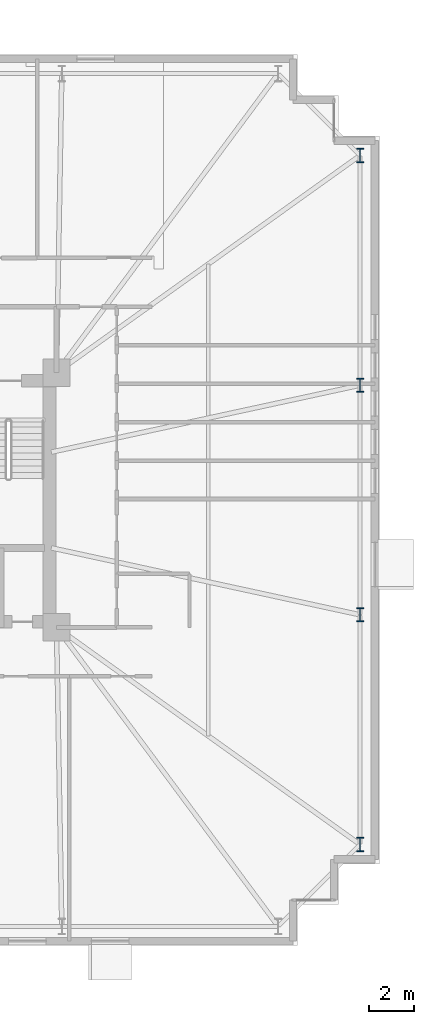
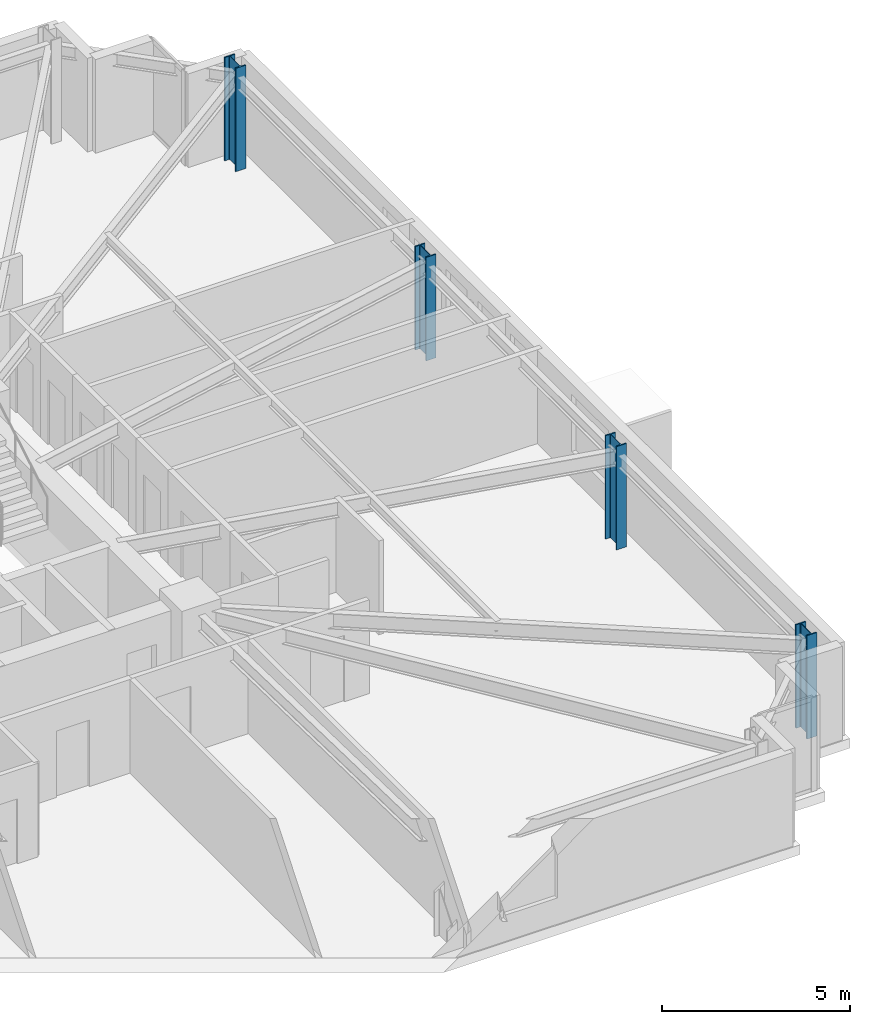
# One storey, part 3 of 22: 4 columns.
"""IFC4 building model written with IfcOpenShell, lengths in metres."""

from ifc_helpers import new_model, si_unit, direction, frame, origin, origin_2d, place, context, subcontext, project, spatial, i_section, extrude, material, material_profile, profile_set, type_object, element, save


model = new_model("IFC4")

# Units and contexts
model_context = context("Model", 3, precision=1e-05, world=origin(), true_north=direction((0.0, 1.0)))
body_context = subcontext(model_context, "Body", "Model", "MODEL_VIEW")
ifc_project = project(units=[si_unit("LENGTHUNIT", "METRE"), si_unit("AREAUNIT", "SQUARE_METRE"), si_unit("VOLUMEUNIT", "CUBIC_METRE"), si_unit("PLANEANGLEUNIT", "RADIAN"), si_unit("MASSUNIT", "GRAM", prefix="KILO")], contexts=[model_context])

# Site, building, storey
site_placement = place(None, origin())
site = spatial("IfcSite", under=ifc_project, at=site_placement, CompositionType="ELEMENT")
building_placement = place(site_placement, origin())
building = spatial("IfcBuilding", under=site, at=building_placement, Name="Qobustan Lattice House", CompositionType="ELEMENT")
storey_placement = place(building_placement, frame((0.0, 0.0, 60.5)))
storey = spatial("IfcBuildingStorey", under=building, at=storey_placement, Name="L16", CompositionType="ELEMENT", Elevation=60.5)

# Columns
ifc_material = material(Name="Steel S460", Category="steel")
ifc_material_profile = material_profile(ifc_material, i_section(OverallWidth=0.304931640625, OverallDepth=0.6201171875, WebThickness=0.02099609375, FlangeThickness=0.0400390625, FilletRadius=0.027099609375, at=origin_2d()), Name="HEM600")
ifc_profile_set = profile_set([ifc_material_profile], Name="Steel S460")
column_type = type_object("IfcColumnType", Name="COL-ST-HEM600", PredefinedType="COLUMN", material=ifc_profile_set)
for number, where, z_axis, x_axis, name in (
    (1, (32.14990234375, -15.14990234375, 0.0), (0.0, 0.0, 1.0), (1.0, 0.0, 0.0), "L16 B1 perimeter column E1"),
    (2, (32.14990234375, -5.050048828125, 0.0), (0.0, 0.0, 1.0), (1.0, 0.0, 0.0), "L16 B1 perimeter column E2"),
    (3, (32.14990234375, 5.050048828125, 0.0), (0.0, 0.0, 1.0), (1.0, 0.0, 0.0), "L16 B1 perimeter column E3"),
    (4, (32.14990234375, 15.14990234375, 0.0), (0.0, 0.0, 1.0), (1.0, 0.0, 0.0), "L16 B1 perimeter column E4"),
):
    element("IfcColumn", number, at=place(storey_placement, frame(where, z_axis=z_axis, x_axis=x_axis)), inside=storey, type_object=column_type, Name=name, PredefinedType="COLUMN", context=body_context, shape_type="SweptSolid", body=[
        extrude(i_section(OverallWidth=0.304931640625, OverallDepth=0.6201171875, WebThickness=0.02099609375, FlangeThickness=0.0400390625, FilletRadius=0.027099609375, at=origin_2d()), origin(), (0.0, 0.0, 1.0), 3.35009765625),
    ])

save(model, "model.ifc")
